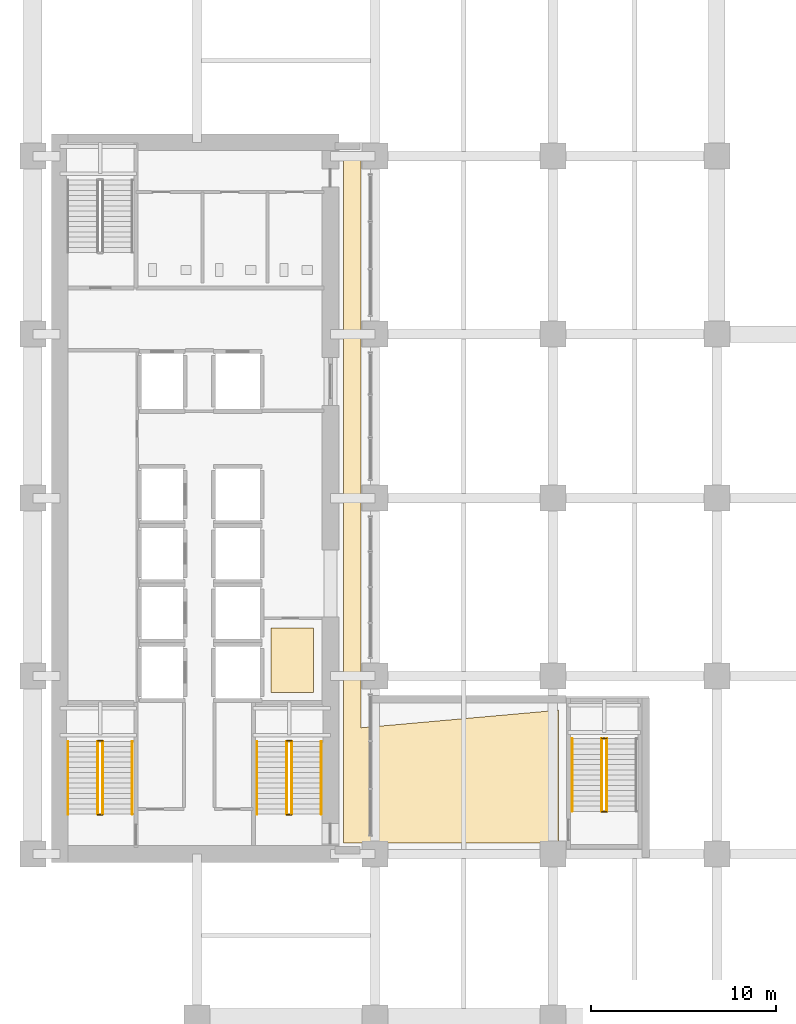
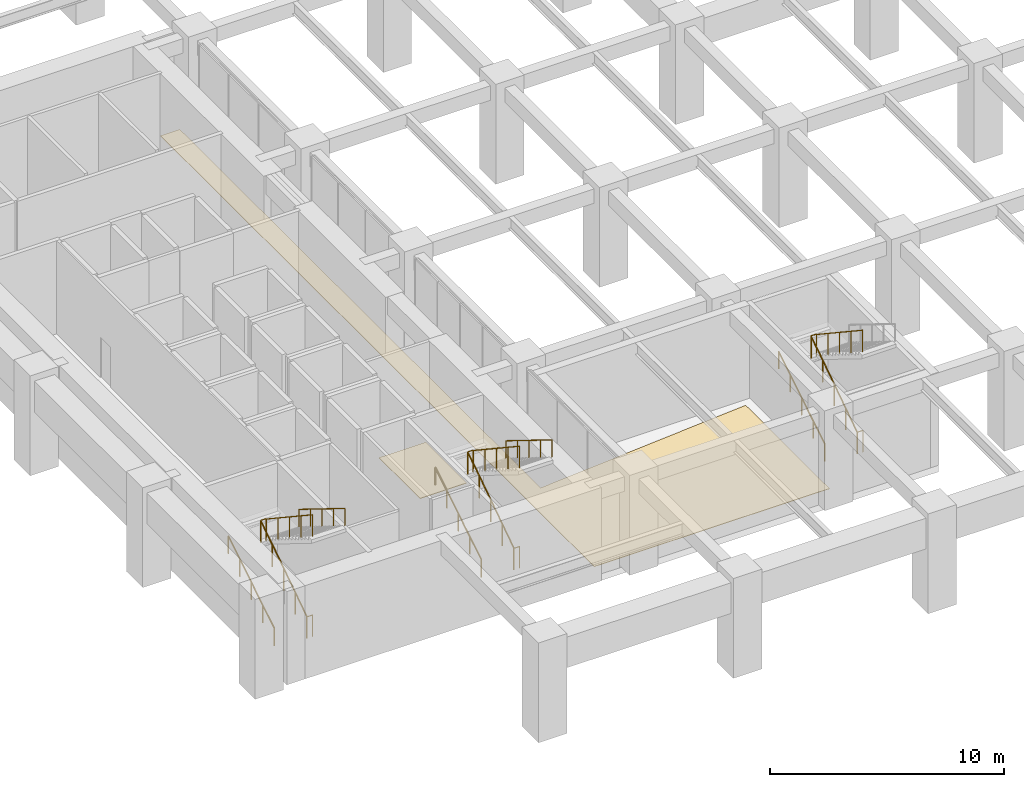
# One storey, part 18 of 22: 17 railings, 2 coverings.
"""IFC4 building model written with IfcOpenShell, lengths in metres."""

from ifc_helpers import new_model, si_unit, direction, frame, origin, origin_2d, place, context, subcontext, project, spatial, polyline, circle, outline, extrude, material, layer, layer_set, type_object, element, save


model = new_model("IFC4")

# Units and contexts
model_context = context("Model", 3, precision=1e-05, world=origin(), true_north=direction((0.0, 1.0)))
body_context = subcontext(model_context, "Body", "Model", "MODEL_VIEW")
ifc_project = project(units=[si_unit("LENGTHUNIT", "METRE"), si_unit("AREAUNIT", "SQUARE_METRE"), si_unit("VOLUMEUNIT", "CUBIC_METRE"), si_unit("PLANEANGLEUNIT", "RADIAN"), si_unit("MASSUNIT", "GRAM", prefix="KILO")], contexts=[model_context])

# Site, building, storey
site_placement = place(None, origin())
site = spatial("IfcSite", under=ifc_project, at=site_placement, CompositionType="ELEMENT")
building_placement = place(site_placement, origin())
building = spatial("IfcBuilding", under=site, at=building_placement, Name="Norrvale University Quadrangle", CompositionType="ELEMENT")
storey_placement = place(building_placement, frame((0.0, 0.0, 5.199951171875)))
storey = spatial("IfcBuildingStorey", under=building, at=storey_placement, Name="L01", CompositionType="ELEMENT", Elevation=5.199951171875)

# Coverings
ifc_material_1 = material(Name="Polished Terrazzo Flooring")
ifc_layer = layer(ifc_material_1, 0.02490234375, Name="Polished Terrazzo Flooring")
ifc_layer_set = layer_set([ifc_layer], Name="Polished Terrazzo Flooring")
covering_type = type_object("IfcCoveringType", Name="Covering Terrazzo Floor 30", PredefinedType="FLOORING", material=ifc_layer_set)
covering_1_placement = place(storey_placement, origin())
element("IfcCovering", 1, at=covering_1_placement, inside=storey, type_object=covering_type, Name="Terrazzo Flooring RM-L01-JAN", PredefinedType="FLOORING", context=body_context, shape_type="SweptSolid", body=[
    extrude(outline(polyline([(13.60009765625, 18.300048828125), (13.60009765625, 21.800048828125), (15.89990234375, 21.800048828125), (15.89990234375, 18.300048828125), (13.60009765625, 18.300048828125)])), origin(), (0.0, 0.0, 1.0), 0.025146484375),
])
covering_2_placement = place(storey_placement, origin())
element("IfcCovering", 2, at=covering_2_placement, inside=storey, type_object=covering_type, Name="Terrazzo Flooring RM-L01-CONC", PredefinedType="FLOORING", context=body_context, shape_type="SweptSolid", body=[
    extrude(outline(polyline([(17.5, 10.199951171875), (17.5, 47.199951171875), (18.449951171875, 47.199951171875), (18.449951171875, 16.407958984375), (29.10009765625, 17.35791015625), (29.10009765625, 10.199951171875), (17.5, 10.199951171875)])), origin(), (0.0, 0.0, 1.0), 0.025146484375),
])

# Railings
ifc_material_2 = material(Name="Steel 350W Painted Balustrade", Category="steel")
railing_type_1 = type_object("IfcRailingType", Name="Railing Stair Guard 1100", PredefinedType="GUARDRAIL", material=ifc_material_2)
for number, where, name in (
    (3, (4.239990234375, 11.719970703125, 0.0), "Stair Floor Well Guard ST-01 L01"),
    (4, (4.239990234375, 15.699951171875, 2.60009765625), "Stair Mid-Landing Slot Guard ST-01 L01"),
):
    element("IfcRailing", number, at=place(storey_placement, frame(where)), inside=storey, type_object=railing_type_1, Name=name, PredefinedType="GUARDRAIL", context=body_context, shape_type="SweptSolid", body=[
        extrude(circle(Radius=0.02392578125, at=origin_2d()), frame((0.0, 0.0, 1.1259765625), z_axis=(1.0, 0.0, 0.0), x_axis=(0.0, 1.0, 0.0)), (0.0, 0.0, 1.0), 0.27001953125),
        extrude(circle(Radius=0.02099609375, at=origin_2d()), origin(), (0.0, 0.0, 1.0), 1.101806640625),
        extrude(circle(Radius=0.02099609375, at=origin_2d()), frame((0.27001953125, 0.0, 0.0)), (0.0, 0.0, 1.0), 1.101806640625),
    ])
railing_1_placement = place(storey_placement, frame((4.239990234375, 11.75, 0.0)))
element("IfcRailing", 5, at=railing_1_placement, inside=storey, type_object=railing_type_1, Name="Stair Lower Flight Inner Guard ST-01 L01", PredefinedType="GUARDRAIL", context=body_context, shape_type="SweptSolid", body=[
    extrude(circle(Radius=0.02392578125, at=origin_2d()), frame((0.0, 0.0, 1.1259765625), z_axis=(0.0, 0.833341594215, 0.552758344444), x_axis=(-1.0, 0.0, 0.0)), (0.0, 0.0, 1.0), 4.703857421875),
    extrude(circle(Radius=0.02099609375, at=origin_2d()), origin(), (0.0, 0.0, 1.0), 1.101806640625),
    extrude(circle(Radius=0.02099609375, at=origin_2d()), frame((0.0, 0.97998046875, 0.64990234375)), (0.0, 0.0, 1.0), 1.101806640625),
    extrude(circle(Radius=0.02099609375, at=origin_2d()), frame((0.0, 1.9599609375, 1.300048828125)), (0.0, 0.0, 1.0), 1.101806640625),
    extrude(circle(Radius=0.02099609375, at=origin_2d()), frame((0.0, 2.93994140625, 1.9501953125)), (0.0, 0.0, 1.0), 1.101806640625),
    extrude(circle(Radius=0.02099609375, at=origin_2d()), frame((0.0, 3.919921875, 2.60009765625)), (0.0, 0.0, 1.0), 1.101806640625),
])
railing_2_placement = place(storey_placement, frame((4.510009765625, 15.669921875, 2.60009765625)))
element("IfcRailing", 6, at=railing_2_placement, inside=storey, type_object=railing_type_1, Name="Stair Upper Flight Inner Guard ST-01 L01", PredefinedType="GUARDRAIL", context=body_context, shape_type="SweptSolid", body=[
    extrude(circle(Radius=0.02392578125, at=origin_2d()), frame((0.0, 0.0, 1.1259765625), z_axis=(0.0, -0.833365502166, 0.552722298989), x_axis=(1.0, 0.0, 0.0)), (0.0, 0.0, 1.0), 4.70361328125),
    extrude(circle(Radius=0.02099609375, at=origin_2d()), origin(), (0.0, 0.0, 1.0), 1.101806640625),
    extrude(circle(Radius=0.02099609375, at=origin_2d()), frame((0.0, -0.97998046875, 0.64990234375)), (0.0, 0.0, 1.0), 1.101806640625),
    extrude(circle(Radius=0.02099609375, at=origin_2d()), frame((0.0, -1.9599609375, 1.2998046875)), (0.0, 0.0, 1.0), 1.101806640625),
    extrude(circle(Radius=0.02099609375, at=origin_2d()), frame((0.0, -2.93994140625, 1.949951171875)), (0.0, 0.0, 1.0), 1.101806640625),
    extrude(circle(Radius=0.02099609375, at=origin_2d()), frame((0.0, -3.919921875, 2.599853515625)), (0.0, 0.0, 1.0), 1.101806640625),
])
for number, where, name in (
    (7, (14.43994140625, 11.719970703125, 0.0), "Stair Floor Well Guard ST-03 L01"),
    (8, (14.43994140625, 15.699951171875, 2.60009765625), "Stair Mid-Landing Slot Guard ST-03 L01"),
):
    element("IfcRailing", number, at=place(storey_placement, frame(where)), inside=storey, type_object=railing_type_1, Name=name, PredefinedType="GUARDRAIL", context=body_context, shape_type="SweptSolid", body=[
        extrude(circle(Radius=0.02392578125, at=origin_2d()), frame((0.0, 0.0, 1.1259765625), z_axis=(1.0, 0.0, 0.0), x_axis=(0.0, 1.0, 0.0)), (0.0, 0.0, 1.0), 0.27001953125),
        extrude(circle(Radius=0.02099609375, at=origin_2d()), origin(), (0.0, 0.0, 1.0), 1.101806640625),
        extrude(circle(Radius=0.02099609375, at=origin_2d()), frame((0.27001953125, 0.0, 0.0)), (0.0, 0.0, 1.0), 1.101806640625),
    ])
railing_3_placement = place(storey_placement, frame((14.43994140625, 11.75, 0.0)))
element("IfcRailing", 9, at=railing_3_placement, inside=storey, type_object=railing_type_1, Name="Stair Lower Flight Inner Guard ST-03 L01", PredefinedType="GUARDRAIL", context=body_context, shape_type="SweptSolid", body=[
    extrude(circle(Radius=0.02392578125, at=origin_2d()), frame((0.0, 0.0, 1.1259765625), z_axis=(0.0, 0.833341594215, 0.552758344444), x_axis=(-1.0, 0.0, 0.0)), (0.0, 0.0, 1.0), 4.703857421875),
    extrude(circle(Radius=0.02099609375, at=origin_2d()), origin(), (0.0, 0.0, 1.0), 1.101806640625),
    extrude(circle(Radius=0.02099609375, at=origin_2d()), frame((0.0, 0.97998046875, 0.64990234375)), (0.0, 0.0, 1.0), 1.101806640625),
    extrude(circle(Radius=0.02099609375, at=origin_2d()), frame((0.0, 1.9599609375, 1.300048828125)), (0.0, 0.0, 1.0), 1.101806640625),
    extrude(circle(Radius=0.02099609375, at=origin_2d()), frame((0.0, 2.93994140625, 1.9501953125)), (0.0, 0.0, 1.0), 1.101806640625),
    extrude(circle(Radius=0.02099609375, at=origin_2d()), frame((0.0, 3.919921875, 2.60009765625)), (0.0, 0.0, 1.0), 1.101806640625),
])
railing_4_placement = place(storey_placement, frame((14.7099609375, 15.669921875, 2.60009765625)))
element("IfcRailing", 10, at=railing_4_placement, inside=storey, type_object=railing_type_1, Name="Stair Upper Flight Inner Guard ST-03 L01", PredefinedType="GUARDRAIL", context=body_context, shape_type="SweptSolid", body=[
    extrude(circle(Radius=0.02392578125, at=origin_2d()), frame((0.0, 0.0, 1.1259765625), z_axis=(0.0, -0.833365502166, 0.552722298989), x_axis=(1.0, 0.0, 0.0)), (0.0, 0.0, 1.0), 4.70361328125),
    extrude(circle(Radius=0.02099609375, at=origin_2d()), origin(), (0.0, 0.0, 1.0), 1.101806640625),
    extrude(circle(Radius=0.02099609375, at=origin_2d()), frame((0.0, -0.97998046875, 0.64990234375)), (0.0, 0.0, 1.0), 1.101806640625),
    extrude(circle(Radius=0.02099609375, at=origin_2d()), frame((0.0, -1.9599609375, 1.2998046875)), (0.0, 0.0, 1.0), 1.101806640625),
    extrude(circle(Radius=0.02099609375, at=origin_2d()), frame((0.0, -2.93994140625, 1.949951171875)), (0.0, 0.0, 1.0), 1.101806640625),
    extrude(circle(Radius=0.02099609375, at=origin_2d()), frame((0.0, -3.919921875, 2.599853515625)), (0.0, 0.0, 1.0), 1.101806640625),
])
for number, where, name in (
    (11, (31.43994140625, 11.8701171875, 0.0), "Stair Floor Well Guard ST-04 L01"),
    (12, (31.43994140625, 15.85009765625, 2.60009765625), "Stair Mid-Landing Slot Guard ST-04 L01"),
):
    element("IfcRailing", number, at=place(storey_placement, frame(where)), inside=storey, type_object=railing_type_1, Name=name, PredefinedType="GUARDRAIL", context=body_context, shape_type="SweptSolid", body=[
        extrude(circle(Radius=0.02392578125, at=origin_2d()), frame((0.0, 0.0, 1.1259765625), z_axis=(1.0, 0.0, 0.0), x_axis=(0.0, 1.0, 0.0)), (0.0, 0.0, 1.0), 0.27001953125),
        extrude(circle(Radius=0.02099609375, at=origin_2d()), origin(), (0.0, 0.0, 1.0), 1.101806640625),
        extrude(circle(Radius=0.02099609375, at=origin_2d()), frame((0.27001953125, 0.0, 0.0)), (0.0, 0.0, 1.0), 1.101806640625),
    ])
railing_5_placement = place(storey_placement, frame((31.43994140625, 11.89990234375, 0.0)))
element("IfcRailing", 13, at=railing_5_placement, inside=storey, type_object=railing_type_1, Name="Stair Lower Flight Inner Guard ST-04 L01", PredefinedType="GUARDRAIL", context=body_context, shape_type="SweptSolid", body=[
    extrude(circle(Radius=0.02392578125, at=origin_2d()), frame((0.0, 0.0, 1.1259765625), z_axis=(0.0, 0.833357451474, 0.552734437205), x_axis=(-1.0, 0.0, 0.0)), (0.0, 0.0, 1.0), 4.7041015625),
    extrude(circle(Radius=0.02099609375, at=origin_2d()), origin(), (0.0, 0.0, 1.0), 1.101806640625),
    extrude(circle(Radius=0.02099609375, at=origin_2d()), frame((0.0, 0.97998046875, 0.64990234375)), (0.0, 0.0, 1.0), 1.101806640625),
    extrude(circle(Radius=0.02099609375, at=origin_2d()), frame((0.0, 1.9599609375, 1.300048828125)), (0.0, 0.0, 1.0), 1.101806640625),
    extrude(circle(Radius=0.02099609375, at=origin_2d()), frame((0.0, 2.940185546875, 1.9501953125)), (0.0, 0.0, 1.0), 1.101806640625),
    extrude(circle(Radius=0.02099609375, at=origin_2d()), frame((0.0, 3.920166015625, 2.60009765625)), (0.0, 0.0, 1.0), 1.101806640625),
])
railing_6_placement = place(storey_placement, frame((31.7099609375, 15.820068359375, 2.60009765625)))
element("IfcRailing", 14, at=railing_6_placement, inside=storey, type_object=railing_type_1, Name="Stair Upper Flight Inner Guard ST-04 L01", PredefinedType="GUARDRAIL", context=body_context, shape_type="SweptSolid", body=[
    extrude(circle(Radius=0.02392578125, at=origin_2d()), frame((0.0, 0.0, 1.1259765625), z_axis=(0.0, -0.833381357812, 0.552698391938), x_axis=(1.0, 0.0, 0.0)), (0.0, 0.0, 1.0), 4.703857421875),
    extrude(circle(Radius=0.02099609375, at=origin_2d()), origin(), (0.0, 0.0, 1.0), 1.101806640625),
    extrude(circle(Radius=0.02099609375, at=origin_2d()), frame((0.0, -0.97998046875, 0.64990234375)), (0.0, 0.0, 1.0), 1.101806640625),
    extrude(circle(Radius=0.02099609375, at=origin_2d()), frame((0.0, -1.9599609375, 1.2998046875)), (0.0, 0.0, 1.0), 1.101806640625),
    extrude(circle(Radius=0.02099609375, at=origin_2d()), frame((0.0, -2.940185546875, 1.949951171875)), (0.0, 0.0, 1.0), 1.101806640625),
    extrude(circle(Radius=0.02099609375, at=origin_2d()), frame((0.0, -3.920166015625, 2.599853515625)), (0.0, 0.0, 1.0), 1.101806640625),
])
ifc_material_3 = material(Name="Stainless Steel 316L Handrail", Category="steel")
railing_type_2 = type_object("IfcRailingType", Name="Railing Stair Handrail 920", PredefinedType="HANDRAIL", material=ifc_material_3)
railing_7_placement = place(storey_placement, frame((2.639892578125, 11.75, 0.17333984375)))
element("IfcRailing", 15, at=railing_7_placement, inside=storey, type_object=railing_type_2, Name="Stair Lower Flight Handrail ST-01 L01", PredefinedType="HANDRAIL", context=body_context, shape_type="SweptSolid", body=[
    extrude(circle(Radius=0.02392578125, at=origin_2d()), frame((0.0, 0.0, 0.89599609375), z_axis=(0.0, 0.850251603719, 0.526376491091), x_axis=(-1.0, 0.0, 0.0)), (0.0, 0.0, 1.0), 4.6103515625),
    extrude(circle(Radius=0.02099609375, at=origin_2d()), origin(), (0.0, 0.0, 1.0), 0.871826171875),
    extrude(circle(Radius=0.02099609375, at=origin_2d()), frame((0.0, 0.97998046875, 0.606689453125)), (0.0, 0.0, 1.0), 0.871826171875),
    extrude(circle(Radius=0.02099609375, at=origin_2d()), frame((0.0, 1.9599609375, 1.21337890625)), (0.0, 0.0, 1.0), 0.871826171875),
    extrude(circle(Radius=0.02099609375, at=origin_2d()), frame((0.0, 2.93994140625, 1.820068359375)), (0.0, 0.0, 1.0), 0.871826171875),
    extrude(circle(Radius=0.02099609375, at=origin_2d()), frame((0.0, 3.919921875, 2.4267578125)), (0.0, 0.0, 1.0), 0.871826171875),
])
railing_8_placement = place(storey_placement, frame((6.110107421875, 15.669921875, 2.7734375)))
element("IfcRailing", 16, at=railing_8_placement, inside=storey, type_object=railing_type_2, Name="Stair Upper Flight Handrail ST-01 L01", PredefinedType="HANDRAIL", context=body_context, shape_type="SweptSolid", body=[
    extrude(circle(Radius=0.02392578125, at=origin_2d()), frame((0.0, 0.0, 0.89599609375), z_axis=(0.0, -0.850275303828, 0.526338206574), x_axis=(1.0, 0.0, 0.0)), (0.0, 0.0, 1.0), 4.610107421875),
    extrude(circle(Radius=0.02099609375, at=origin_2d()), origin(), (0.0, 0.0, 1.0), 0.871826171875),
    extrude(circle(Radius=0.02099609375, at=origin_2d()), frame((0.0, -0.97998046875, 0.606689453125)), (0.0, 0.0, 1.0), 0.871826171875),
    extrude(circle(Radius=0.02099609375, at=origin_2d()), frame((0.0, -1.9599609375, 1.21337890625)), (0.0, 0.0, 1.0), 0.871826171875),
    extrude(circle(Radius=0.02099609375, at=origin_2d()), frame((0.0, -2.93994140625, 1.81982421875)), (0.0, 0.0, 1.0), 0.871826171875),
    extrude(circle(Radius=0.02099609375, at=origin_2d()), frame((0.0, -3.919921875, 2.426513671875)), (0.0, 0.0, 1.0), 0.871826171875),
])
railing_9_placement = place(storey_placement, frame((12.840087890625, 11.75, 0.17333984375)))
element("IfcRailing", 17, at=railing_9_placement, inside=storey, type_object=railing_type_2, Name="Stair Lower Flight Handrail ST-03 L01", PredefinedType="HANDRAIL", context=body_context, shape_type="SweptSolid", body=[
    extrude(circle(Radius=0.02392578125, at=origin_2d()), frame((0.0, 0.0, 0.89599609375), z_axis=(0.0, 0.850251603719, 0.526376491091), x_axis=(-1.0, 0.0, 0.0)), (0.0, 0.0, 1.0), 4.6103515625),
    extrude(circle(Radius=0.02099609375, at=origin_2d()), origin(), (0.0, 0.0, 1.0), 0.871826171875),
    extrude(circle(Radius=0.02099609375, at=origin_2d()), frame((0.0, 0.97998046875, 0.606689453125)), (0.0, 0.0, 1.0), 0.871826171875),
    extrude(circle(Radius=0.02099609375, at=origin_2d()), frame((0.0, 1.9599609375, 1.21337890625)), (0.0, 0.0, 1.0), 0.871826171875),
    extrude(circle(Radius=0.02099609375, at=origin_2d()), frame((0.0, 2.93994140625, 1.820068359375)), (0.0, 0.0, 1.0), 0.871826171875),
    extrude(circle(Radius=0.02099609375, at=origin_2d()), frame((0.0, 3.919921875, 2.4267578125)), (0.0, 0.0, 1.0), 0.871826171875),
])
railing_10_placement = place(storey_placement, frame((16.31005859375, 15.669921875, 2.7734375)))
element("IfcRailing", 18, at=railing_10_placement, inside=storey, type_object=railing_type_2, Name="Stair Upper Flight Handrail ST-03 L01", PredefinedType="HANDRAIL", context=body_context, shape_type="SweptSolid", body=[
    extrude(circle(Radius=0.02392578125, at=origin_2d()), frame((0.0, 0.0, 0.89599609375), z_axis=(0.0, -0.850275303828, 0.526338206574), x_axis=(1.0, 0.0, 0.0)), (0.0, 0.0, 1.0), 4.610107421875),
    extrude(circle(Radius=0.02099609375, at=origin_2d()), origin(), (0.0, 0.0, 1.0), 0.871826171875),
    extrude(circle(Radius=0.02099609375, at=origin_2d()), frame((0.0, -0.97998046875, 0.606689453125)), (0.0, 0.0, 1.0), 0.871826171875),
    extrude(circle(Radius=0.02099609375, at=origin_2d()), frame((0.0, -1.9599609375, 1.21337890625)), (0.0, 0.0, 1.0), 0.871826171875),
    extrude(circle(Radius=0.02099609375, at=origin_2d()), frame((0.0, -2.93994140625, 1.81982421875)), (0.0, 0.0, 1.0), 0.871826171875),
    extrude(circle(Radius=0.02099609375, at=origin_2d()), frame((0.0, -3.919921875, 2.426513671875)), (0.0, 0.0, 1.0), 0.871826171875),
])
railing_11_placement = place(storey_placement, frame((29.840087890625, 11.89990234375, 0.17333984375)))
element("IfcRailing", 19, at=railing_11_placement, inside=storey, type_object=railing_type_2, Name="Stair Lower Flight Handrail ST-04 L01", PredefinedType="HANDRAIL", context=body_context, shape_type="SweptSolid", body=[
    extrude(circle(Radius=0.02392578125, at=origin_2d()), frame((0.0, 0.0, 0.89599609375), z_axis=(0.0, 0.850266275192, 0.526352791643), x_axis=(-1.0, 0.0, 0.0)), (0.0, 0.0, 1.0), 4.610595703125),
    extrude(circle(Radius=0.02099609375, at=origin_2d()), origin(), (0.0, 0.0, 1.0), 0.871826171875),
    extrude(circle(Radius=0.02099609375, at=origin_2d()), frame((0.0, 0.97998046875, 0.606689453125)), (0.0, 0.0, 1.0), 0.871826171875),
    extrude(circle(Radius=0.02099609375, at=origin_2d()), frame((0.0, 1.9599609375, 1.21337890625)), (0.0, 0.0, 1.0), 0.871826171875),
    extrude(circle(Radius=0.02099609375, at=origin_2d()), frame((0.0, 2.940185546875, 1.820068359375)), (0.0, 0.0, 1.0), 0.871826171875),
    extrude(circle(Radius=0.02099609375, at=origin_2d()), frame((0.0, 3.920166015625, 2.4267578125)), (0.0, 0.0, 1.0), 0.871826171875),
])

save(model, "model.ifc")
